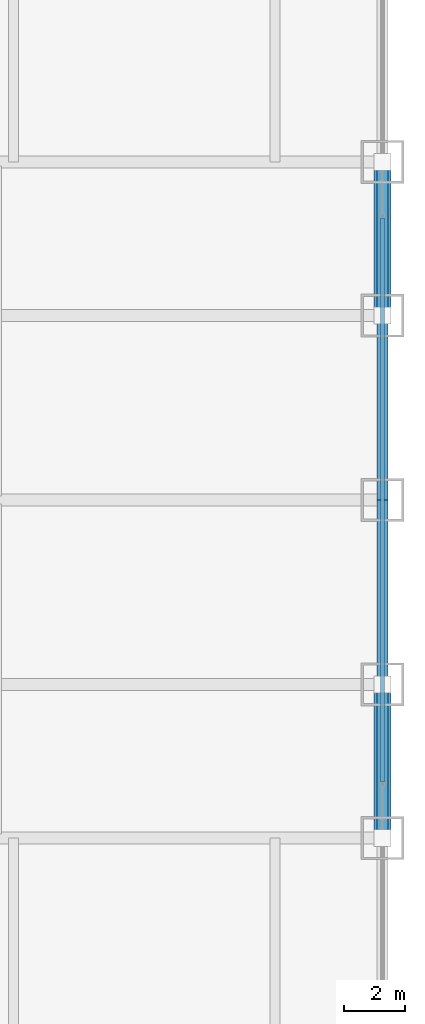
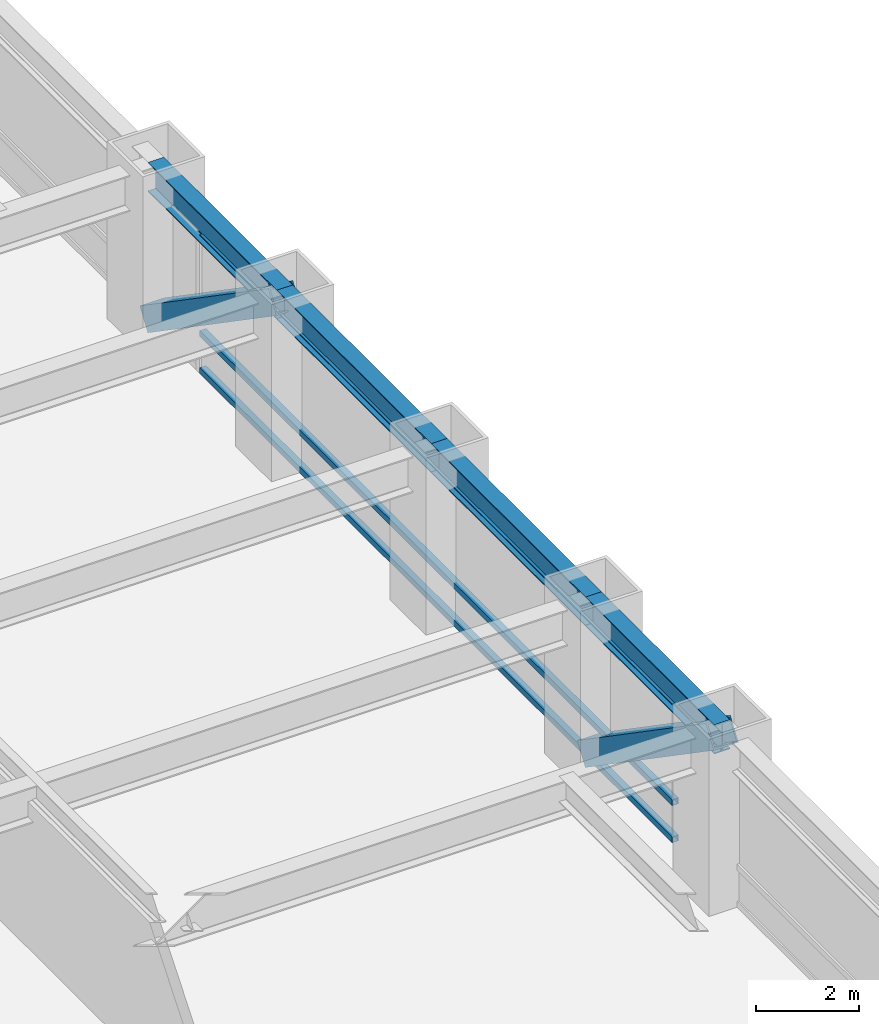
# One storey, part 17 of 27: 5 members, 4 beams, 1 element without a shape of its own.
"""IFC4 building model written with IfcOpenShell, lengths in metres."""

from ifc_helpers import new_model, si_unit, direction, frame, origin, origin_2d, place, context, subcontext, project, spatial, hollow_rectangle, i_section, extrude, source, transform, mapped, material, material_profile, profile_set, type_object, element, aggregate, save


model = new_model("IFC4")

# Units and contexts
model_context = context("Model", 3, precision=1e-05, world=origin(), true_north=direction((0.0, 1.0)))
body_context = subcontext(model_context, "Body", "Model", "MODEL_VIEW")
ifc_project = project(units=[si_unit("LENGTHUNIT", "METRE"), si_unit("AREAUNIT", "SQUARE_METRE"), si_unit("VOLUMEUNIT", "CUBIC_METRE"), si_unit("PLANEANGLEUNIT", "RADIAN"), si_unit("MASSUNIT", "GRAM", prefix="KILO")], contexts=[model_context])

# Site, building, storey
site_placement = place(None, origin())
site = spatial("IfcSite", under=ifc_project, at=site_placement, CompositionType="ELEMENT")
building_placement = place(site_placement, origin())
building = spatial("IfcBuilding", under=site, at=building_placement, Name="Khorayat Bourse Tower", CompositionType="ELEMENT")
storey_placement = place(building_placement, frame((0.0, 0.0, 45.199951171875)))
storey = spatial("IfcBuildingStorey", under=building, at=storey_placement, Name="L09", CompositionType="ELEMENT", Elevation=45.199951171875)

# Beams
ifc_material_1 = material(Name="Steel ASTM A992 Grade 50", Category="steel")
ifc_material_profile_1 = material_profile(ifc_material_1, i_section(OverallWidth=0.35498046875, OverallDepth=0.695068359375, WebThickness=0.015380859375, FlangeThickness=0.02490234375, FilletRadius=0.01806640625, at=origin_2d()), Name="W690X217")
ifc_profile_set_1 = profile_set([ifc_material_profile_1], Name="Steel ASTM A992 Grade 50")
beam_type = type_object("IfcBeamType", Name="BM-SPAN-690", PredefinedType="SPANDREL", material=ifc_profile_set_1)
shared_shape_1 = source(origin(), body_context, "Body", "SweptSolid", [
    extrude(i_section(OverallWidth=0.35498046875, OverallDepth=0.695068359375, WebThickness=0.015380859375, FlangeThickness=0.02490234375, FilletRadius=0.01806640625, at=origin_2d()), origin(), (0.0, 0.0, 1.0), 5.0),
])
for number, where, z_axis, x_axis, name in (
    (1, (32.0, -11.0, 3.592529296875), (0.0, 1.0, 0.0), (-1.0, 0.0, 0.0), "L09 BM-SPAN-690 BM-L09-SPN-036"),
    (2, (32.0, 6.0, 3.592529296875), (0.0, 1.0, 0.0), (-1.0, 0.0, 0.0), "L09 BM-SPAN-690 BM-L09-SPN-039"),
):
    element("IfcBeam", number, at=place(storey_placement, frame(where, z_axis=z_axis, x_axis=x_axis)), inside=storey, type_object=beam_type, Name=name, PredefinedType="SPANDREL", context=body_context, shape_type="MappedRepresentation", body=[
        mapped(shared_shape_1, transform((0.0, 0.0, 0.0), scale=1.0)),
    ])
shared_shape_2 = source(origin(), body_context, "Body", "SweptSolid", [
    extrude(i_section(OverallWidth=0.35498046875, OverallDepth=0.695068359375, WebThickness=0.015380859375, FlangeThickness=0.02490234375, FilletRadius=0.01806640625, at=origin_2d()), origin(), (0.0, 0.0, 1.0), 6.0),
])
for number, where, z_axis, x_axis, name in (
    (3, (32.0, -6.0, 3.592529296875), (0.0, 1.0, 0.0), (-1.0, 0.0, 0.0), "L09 BM-SPAN-690 BM-L09-SPN-037"),
    (4, (32.0, 0.0, 3.592529296875), (0.0, 1.0, 0.0), (-1.0, 0.0, 0.0), "L09 BM-SPAN-690 BM-L09-SPN-038"),
):
    element("IfcBeam", number, at=place(storey_placement, frame(where, z_axis=z_axis, x_axis=x_axis)), inside=storey, type_object=beam_type, Name=name, PredefinedType="SPANDREL", context=body_context, shape_type="MappedRepresentation", body=[
        mapped(shared_shape_2, transform((0.0, 0.0, 0.0), scale=1.0)),
    ])

# Members
ifc_material_2 = material(Name="Steel EN 10025-4 S460M", Category="steel")
ifc_material_profile_2 = material_profile(ifc_material_2, hollow_rectangle(XDim=0.550048828125, YDim=0.550048828125, WallThickness=0.031982421875, at=origin_2d()), Name="HSS 550x550x32")
ifc_profile_set_2 = profile_set([ifc_material_profile_2], Name="Steel EN 10025-4 S460M")
member_type_1 = type_object("IfcMemberType", Name="MBR-TUBE-550", PredefinedType="BRACE", material=ifc_profile_set_2)
shared_shape_3 = source(origin(), body_context, "Body", "SweptSolid", [
    extrude(hollow_rectangle(XDim=0.550048828125, YDim=0.550048828125, WallThickness=0.031982421875, at=origin_2d()), origin(), (0.0, 0.0, 1.0), 6.069091796875),
])
for number, where, z_axis, x_axis, name in (
    (5, (32.0, -11.0, 3.68994140625), (0.0, 0.823854080622, -0.566801952928), (-1.0, 0.0, 0.0), "L09 Perimeter Tube Brace 07"),
    (6, (32.0, 6.0, 3.68994140625), (0.0, 0.823854080622, -0.566801952928), (-1.0, 0.0, 0.0), "L09 Perimeter Tube Brace 08"),
):
    element("IfcMember", number, at=place(storey_placement, frame(where, z_axis=z_axis, x_axis=x_axis)), inside=storey, type_object=member_type_1, Name=name, PredefinedType="BRACE", context=body_context, shape_type="MappedRepresentation", body=[
        mapped(shared_shape_3, transform((0.0, 0.0, 0.0), scale=1.0)),
    ])

# Curtain wall, members
ifc_material_3 = material(Name="Aluminium EN AW-6063 T6", Category="aluminium")
curtain_wall_type = type_object("IfcCurtainWallType", Name="CW-SYS-02", PredefinedType="NOTDEFINED", material=ifc_material_3)
curtain_wall_placement = place(storey_placement, origin())
curtain_wall = element("IfcCurtainWall", 7, at=curtain_wall_placement, inside=storey, type_object=curtain_wall_type, Name="L09 Curtain Wall CW-L09-E1", PredefinedType="NOTDEFINED")
ifc_material_profile_3 = material_profile(ifc_material_3, hollow_rectangle(XDim=0.139892578125, YDim=0.139892578125, WallThickness=0.006103515625, at=origin_2d()), Name="ALU 140x140x6")
ifc_profile_set_3 = profile_set([ifc_material_profile_3], Name="Aluminium EN AW-6063 T6")
member_type_2 = type_object("IfcMemberType", Name="CWT-HORZ-140", PredefinedType="USERDEFINED", material=ifc_profile_set_3)
shared_shape_4 = source(origin(), body_context, "Body", "SweptSolid", [
    extrude(hollow_rectangle(XDim=0.139892578125, YDim=0.139892578125, WallThickness=0.006103515625, at=origin_2d()), origin(), (0.0, 0.0, 1.0), 18.35986328125),
])
member_1_placement = place(storey_placement, frame((32.0, -9.179931640625, 0.070068359375), z_axis=(0.0, 1.0, 0.0), x_axis=(-1.0, 0.0, 0.0)))
member_1 = element("IfcMember", 8, at=member_1_placement, type_object=member_type_2, Name="CW-L09-E1 Horizontal Transom 2-1", ObjectType="TRANSOM", PredefinedType="USERDEFINED", context=body_context, shape_type="MappedRepresentation", body=[
    mapped(shared_shape_4, transform((0.0, 0.0, 0.0), scale=1.0)),
])
member_2_placement = place(storey_placement, frame((32.0, -9.179931640625, 0.949951171875), z_axis=(0.0, 1.0, 0.0), x_axis=(-1.0, 0.0, 0.0)))
member_2 = element("IfcMember", 9, at=member_2_placement, type_object=member_type_2, Name="CW-L09-E1 Horizontal Transom 2-2", ObjectType="TRANSOM", PredefinedType="USERDEFINED", context=body_context, shape_type="MappedRepresentation", body=[
    mapped(shared_shape_4, transform((0.0, 0.0, 0.0), scale=1.0)),
])
member_3_placement = place(storey_placement, frame((32.0, -9.179931640625, 3.219970703125), z_axis=(0.0, 1.0, 0.0), x_axis=(-1.0, 0.0, 0.0)))
member_3 = element("IfcMember", 10, at=member_3_placement, type_object=member_type_2, Name="CW-L09-E1 Horizontal Transom 2-3", ObjectType="TRANSOM", PredefinedType="USERDEFINED", context=body_context, shape_type="MappedRepresentation", body=[
    mapped(shared_shape_4, transform((0.0, 0.0, 0.0), scale=1.0)),
])
aggregate(curtain_wall, [member_1, member_2, member_3])

save(model, "model.ifc")
